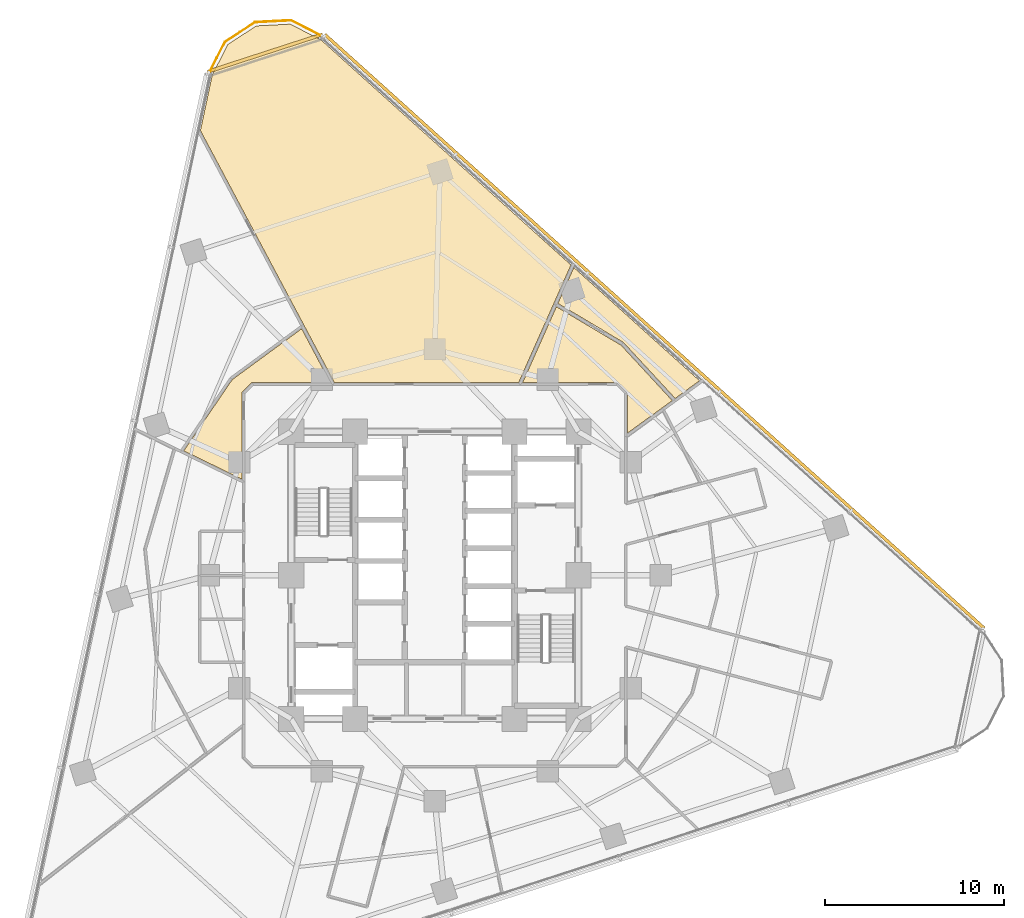
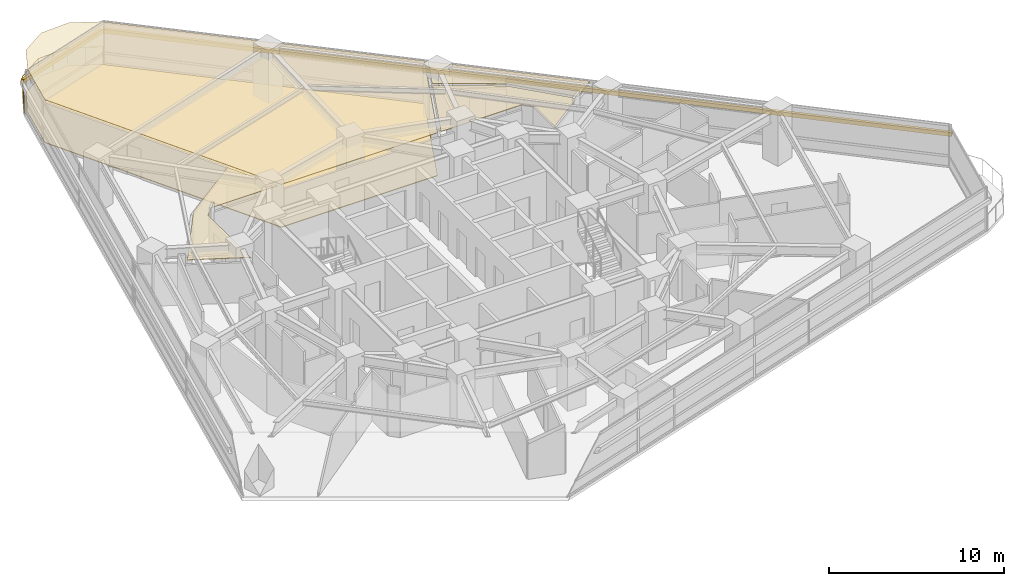
# One storey, part 13 of 13: 5 coverings, 2 shading devices, 1 railing.
"""IFC4 building model written with IfcOpenShell, lengths in metres."""

from ifc_helpers import new_model, si_unit, direction, frame, origin, origin_2d, place, context, subcontext, project, spatial, polyline, rectangle, circle, outline, extrude, material, layer, layer_set, type_object, element, save


model = new_model("IFC4")

# Units and contexts
model_context = context("Model", 3, precision=1e-05, world=origin(), true_north=direction((0.0, 1.0)))
body_context = subcontext(model_context, "Body", "Model", "MODEL_VIEW")
ifc_project = project(units=[si_unit("LENGTHUNIT", "METRE"), si_unit("AREAUNIT", "SQUARE_METRE"), si_unit("VOLUMEUNIT", "CUBIC_METRE"), si_unit("PLANEANGLEUNIT", "RADIAN"), si_unit("MASSUNIT", "GRAM", prefix="KILO")], contexts=[model_context])

# Site, building, storey
site_placement = place(None, origin())
site = spatial("IfcSite", under=ifc_project, at=site_placement, CompositionType="ELEMENT")
building_placement = place(site_placement, origin())
building = spatial("IfcBuilding", under=site, at=building_placement, Name="Terralouvre Media Tower", CompositionType="ELEMENT")
storey_placement = place(building_placement, frame((0.0, 0.0, 108.800048828125)))
storey = spatial("IfcBuildingStorey", under=building, at=storey_placement, Name="L27", CompositionType="ELEMENT", Elevation=108.800048828125)

# Coverings
ifc_material_1 = material(Name="Resilient elastomer acoustic broadcast studio flooring")
ifc_layer_1 = layer(ifc_material_1, 0.050048828125, Name="Broadcast Studio Acoustic Floating Floor FL-AC1")
ifc_layer_set_1 = layer_set([ifc_layer_1], Name="Resilient elastomer acoustic broadcast studio flooring")
covering_type_1 = type_object("IfcCoveringType", Name="Broadcast Studio Acoustic Floating Floor FL-AC1", PredefinedType="FLOORING", material=ifc_layer_set_1)
covering_1_placement = place(storey_placement, frame((0.0, 0.0, 0.0), z_axis=(0.0, 0.0, 1.0), x_axis=(0.951056516295, 0.309016994375, 0.0)))
element("IfcCovering", 1, at=covering_1_placement, inside=storey, type_object=covering_type_1, Name="L27 Mindfulness Recreation Club 11 Acoustic Floating Floor", PredefinedType="FLOORING", context=body_context, shape_type="SweptSolid", body=[
    extrude(outline(polyline([(-2.6337890625, 15.512939453125), (-2.0068359375, 11.955322265625), (7.77001953125, 8.778564453125), (10.99560546875, 12.36083984375), (12.564208984375, 14.10302734375), (3.184326171875, 30.349365234375), (1.825927734375, 31.707275390625), (0.000244140625, 32.1962890625), (-1.826416015625, 31.70703125), (-3.1845703125, 30.3486328125), (-4.7666015625, 27.60791015625), (-2.6337890625, 15.512939453125)])), origin(), (0.0, 0.0, 1.0), 0.050048828125),
])
ifc_material_2 = material(Name="Perforated aluminium acoustic ceiling baffle", Category="aluminium")
ifc_layer_2 = layer(ifc_material_2, 0.0400390625, Name="Perforated Acoustic Metal Tile Ceiling CL-AC1")
ifc_layer_set_2 = layer_set([ifc_layer_2], Name="Perforated aluminium acoustic ceiling baffle")
covering_type_2 = type_object("IfcCoveringType", Name="Perforated Acoustic Metal Tile Ceiling CL-AC1", PredefinedType="CEILING", material=ifc_layer_set_2)
covering_2_placement = place(storey_placement, frame((0.0, 0.0, 2.97998046875), z_axis=(0.0, 0.0, 1.0), x_axis=(0.951056516295, 0.309016994375, 0.0)))
element("IfcCovering", 2, at=covering_2_placement, inside=storey, type_object=covering_type_2, Name="L27 Medical Journalism Research Office 9 Acoustic Ceiling", PredefinedType="CEILING", context=body_context, shape_type="SweptSolid", body=[
    extrude(outline(polyline([(13.99755859375, 9.107177734375), (14.00341796875, 9.099609375), (14.0087890625, 9.091552734375), (14.01318359375, 9.083251953125), (15.786376953125, 5.235107421875), (17.38427734375, 5.75390625), (12.669189453125, 13.9208984375), (11.20361328125, 12.29296875), (13.99755859375, 9.107177734375)])), origin(), (0.0, 0.0, 1.0), 0.0400390625),
])
covering_3_placement = place(storey_placement, frame((0.0, 0.0, 2.97998046875), z_axis=(0.0, 0.0, 1.0), x_axis=(0.951056516295, 0.309016994375, 0.0)))
element("IfcCovering", 3, at=covering_3_placement, inside=storey, type_object=covering_type_2, Name="L27 Staff Wellness Fitness Gym 10 Acoustic Ceiling", PredefinedType="CEILING", context=body_context, shape_type="SweptSolid", body=[
    extrude(outline(polyline([(15.594970703125, 5.1728515625), (13.837646484375, 8.986328125), (11.06884765625, 12.143310546875), (7.978271484375, 8.7109375), (12.97509765625, 7.08740234375), (12.984375, 7.083740234375), (12.9931640625, 7.07958984375), (13.00146484375, 7.07421875), (13.00927734375, 7.068359375), (13.016357421875, 7.0615234375), (13.022705078125, 7.05419921875), (13.0283203125, 7.046142578125), (13.033447265625, 7.03759765625), (13.354248046875, 6.407470703125), (13.3583984375, 6.398681640625), (13.361572265625, 6.389404296875), (13.36376953125, 6.379638671875), (13.364990234375, 6.3701171875), (13.365234375, 6.360107421875), (13.364501953125, 6.350341796875), (13.363037109375, 6.3408203125), (13.3603515625, 6.331298828125), (12.67578125, 4.223876953125), (14.929443359375, 4.9560546875), (15.594970703125, 5.1728515625)])), origin(), (0.0, 0.0, 1.0), 0.0400390625),
])
covering_4_placement = place(storey_placement, frame((0.0, 0.0, 2.97998046875), z_axis=(0.0, 0.0, 1.0), x_axis=(0.951056516295, 0.309016994375, 0.0)))
element("IfcCovering", 4, at=covering_4_placement, inside=storey, type_object=covering_type_2, Name="L27 Mindfulness Recreation Club 11 Acoustic Ceiling", PredefinedType="CEILING", context=body_context, shape_type="SweptSolid", body=[
    extrude(outline(polyline([(-2.6337890625, 15.512939453125), (-2.0068359375, 11.955322265625), (7.77001953125, 8.778564453125), (10.99560546875, 12.36083984375), (12.564208984375, 14.10302734375), (3.184326171875, 30.349365234375), (1.825927734375, 31.707275390625), (0.000244140625, 32.1962890625), (-1.826416015625, 31.70703125), (-3.1845703125, 30.3486328125), (-4.7666015625, 27.60791015625), (-2.6337890625, 15.512939453125)])), origin(), (0.0, 0.0, 1.0), 0.0400390625),
])
covering_5_placement = place(storey_placement, frame((0.0, 0.0, 2.97998046875), z_axis=(0.0, 0.0, 1.0), x_axis=(0.951056516295, 0.309016994375, 0.0)))
element("IfcCovering", 5, at=covering_5_placement, inside=storey, type_object=covering_type_2, Name="L27 Terrace View Hospitality Lounge 13 Acoustic Ceiling", PredefinedType="CEILING", context=body_context, shape_type="SweptSolid", body=[
    extrude(outline(polyline([(-7.370361328125, 13.861572265625), (-11.165771484375, 10.922119140625), (-8.5693359375, 8.4140625), (-7.08740234375, 12.97509765625), (-7.083740234375, 12.984375), (-7.07958984375, 12.9931640625), (-7.07421875, 13.00146484375), (-7.068359375, 13.00927734375), (-7.0615234375, 13.016357421875), (-7.05419921875, 13.022705078125), (-7.046142578125, 13.0283203125), (-7.03759765625, 13.033447265625), (-6.407470703125, 13.354248046875), (-6.398681640625, 13.3583984375), (-6.389404296875, 13.361572265625), (-6.379638671875, 13.36376953125), (-6.3701171875, 13.364990234375), (-6.360107421875, 13.365234375), (-6.350341796875, 13.364501953125), (-6.3408203125, 13.363037109375), (-6.331298828125, 13.3603515625), (-2.22216796875, 12.025146484375), (-2.810791015625, 15.364501953125), (-7.370361328125, 13.861572265625)])), origin(), (0.0, 0.0, 1.0), 0.0400390625),
])

# Railing
ifc_material_3 = material(Name="Stainless steel 316 handrail and balustrade", Category="steel")
ifc_layer_3 = layer(ifc_material_3, 0.06005859375, Name="Roof Edge Safety Guardrail GR-ROOF1")
ifc_layer_set_3 = layer_set([ifc_layer_3], Name="Stainless steel 316 handrail and balustrade")
railing_type = type_object("IfcRailingType", Name="Roof Edge Safety Guardrail GR-ROOF1", PredefinedType="GUARDRAIL", material=ifc_layer_set_3)
railing_placement = place(storey_placement, frame((-6.221435546875, 30.015869140625, 0.0)))
element("IfcRailing", 6, at=railing_placement, inside=storey, type_object=railing_type, Name="L27 Wind-Corner Perimeter Safety Guardrail C2", PredefinedType="GUARDRAIL", context=body_context, shape_type="SweptSolid", body=[
    extrude(circle(Radius=0.02099609375, at=origin_2d()), frame((0.0, 0.0, 1.12890625), z_axis=(-0.890922546915, 0.454155276748, 0.0), x_axis=(-0.454155276748, -0.890922546915, 0.0)), (0.0, 0.0, 1.0), 2.0078125),
    extrude(circle(Radius=0.02099609375, at=origin_2d()), frame((-1.788818359375, 0.911865234375, 1.12890625), z_axis=(-0.998637914219, -0.052175820874, 0.0), x_axis=(0.052175820874, -0.998637914219, 0.0)), (0.0, 0.0, 1.0), 2.00732421875),
    extrude(circle(Radius=0.02099609375, at=origin_2d()), frame((-3.79345703125, 0.80712890625, 1.12890625), z_axis=(-0.838632501794, -0.544697647264, 0.0), x_axis=(0.544697647264, -0.838632501794, 0.0)), (0.0, 0.0, 1.0), 2.007568359375),
    extrude(circle(Radius=0.02099609375, at=origin_2d()), frame((-5.47705078125, -0.286376953125, 1.12890625), z_axis=(-0.453767310879, -0.891120209387, 0.0), x_axis=(0.891120209387, -0.453767310879, 0.0)), (0.0, 0.0, 1.0), 2.0078125),
    extrude(circle(Radius=0.01904296875, at=origin_2d()), origin(), (0.0, 0.0, 1.0), 1.10791015625),
    extrude(circle(Radius=0.01904296875, at=origin_2d()), frame((-0.89453125, 0.4560546875, 0.0)), (0.0, 0.0, 1.0), 1.10791015625),
    extrude(circle(Radius=0.01904296875, at=origin_2d()), frame((-1.788818359375, 0.911865234375, 0.0)), (0.0, 0.0, 1.0), 1.10791015625),
    extrude(circle(Radius=0.01904296875, at=origin_2d()), frame((-2.791015625, 0.859375, 0.0)), (0.0, 0.0, 1.0), 1.10791015625),
    extrude(circle(Radius=0.01904296875, at=origin_2d()), frame((-3.79345703125, 0.80712890625, 0.0)), (0.0, 0.0, 1.0), 1.10791015625),
    extrude(circle(Radius=0.01904296875, at=origin_2d()), frame((-4.63525390625, 0.26025390625, 0.0)), (0.0, 0.0, 1.0), 1.10791015625),
    extrude(circle(Radius=0.01904296875, at=origin_2d()), frame((-5.47705078125, -0.286376953125, 0.0)), (0.0, 0.0, 1.0), 1.10791015625),
    extrude(circle(Radius=0.01904296875, at=origin_2d()), frame((-5.9326171875, -1.18115234375, 0.0)), (0.0, 0.0, 1.0), 1.10791015625),
    extrude(circle(Radius=0.01904296875, at=origin_2d()), frame((-6.38818359375, -2.07568359375, 0.0)), (0.0, 0.0, 1.0), 1.10791015625),
])

# Shading devices
ifc_material_4 = material(Name="Extruded terracotta baguette sunshade louvres", Category="masonry")
shading_device_type = type_object("IfcShadingDeviceType", Name="Terracotta Baguette Sunshade Louvre Screen TB-LV1", PredefinedType="USERDEFINED", material=ifc_material_4)
shading_device_1_placement = place(storey_placement, frame((12.23974609375, 13.59375, 2.02392578125), z_axis=(0.0, 0.0, 1.0), x_axis=(-0.743144795545, 0.669130639602, 0.0)))
element("IfcShadingDevice", 7, at=shading_device_1_placement, inside=storey, type_object=shading_device_type, Name="CW-L27-F1 Terracotta Baguette Sunshade Louvre", ObjectType="BAGUETTE", PredefinedType="USERDEFINED", context=body_context, shape_type="SweptSolid", body=[
    extrude(rectangle(XDim=49.43994140625, YDim=0.179931640625, at=origin_2d()), origin(), (0.0, 0.0, 1.0), 0.280029296875),
])
shading_device_2_placement = place(storey_placement, frame((-9.457275390625, 29.106201171875, 2.02392578125), z_axis=(0.0, 0.0, 1.0), x_axis=(-0.951056286408, -0.309017701894, 0.0)))
element("IfcShadingDevice", 8, at=shading_device_2_placement, inside=storey, type_object=shading_device_type, Name="CW-L27-C2 Terracotta Baguette Sunshade Louvre", ObjectType="BAGUETTE", PredefinedType="USERDEFINED", context=body_context, shape_type="SweptSolid", body=[
    extrude(rectangle(XDim=6.720458984375, YDim=0.179931640625, at=origin_2d()), origin(), (0.0, 0.0, 1.0), 0.280029296875),
])

save(model, "model.ifc")
